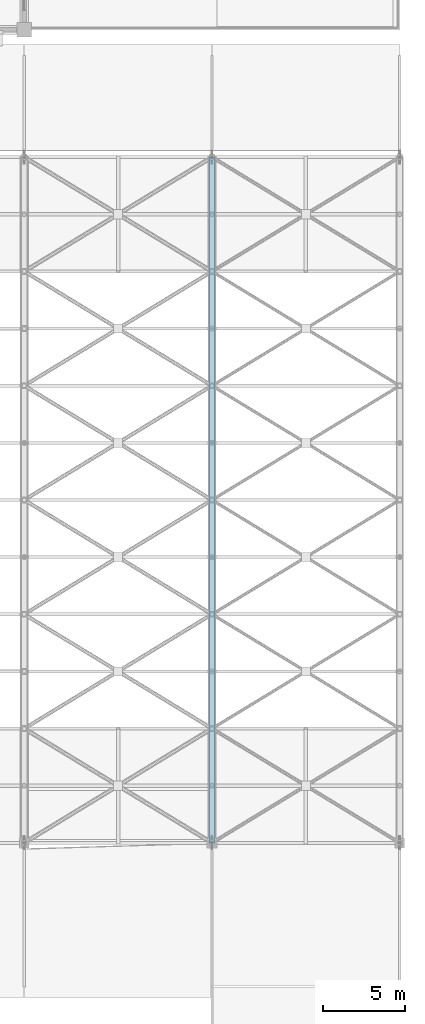
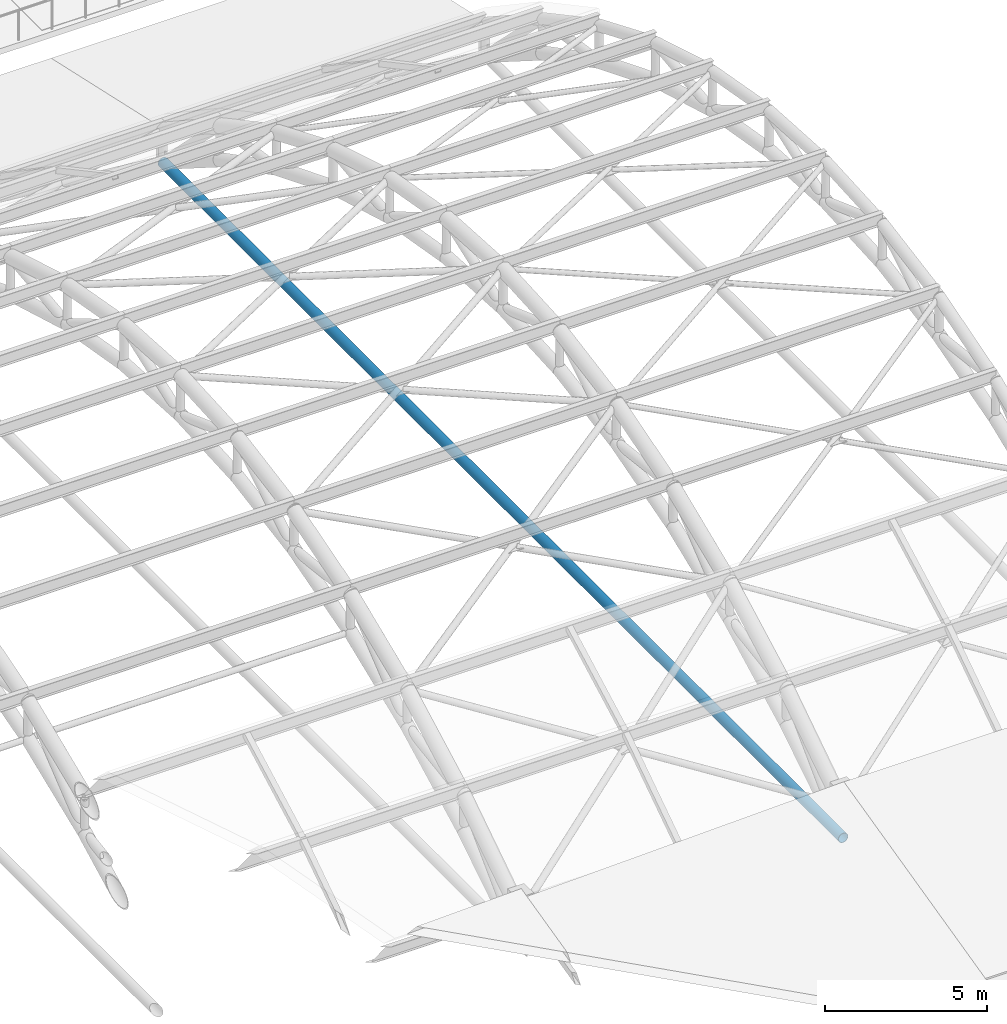
# One storey, part 107 of 154: 1 member.
"""IFC4 building model written with IfcOpenShell, lengths in metres."""

from ifc_helpers import new_model, si_unit, direction, frame, origin, origin_2d, place, context, subcontext, project, spatial, hollow_circle, extrude, material, material_profile, profile_set, type_object, element, save


model = new_model("IFC4")

# Units and contexts
model_context = context("Model", 3, precision=1e-05, world=origin(), true_north=direction((0.0, 1.0)))
body_context = subcontext(model_context, "Body", "Model", "MODEL_VIEW")
ifc_project = project(units=[si_unit("LENGTHUNIT", "METRE"), si_unit("AREAUNIT", "SQUARE_METRE"), si_unit("VOLUMEUNIT", "CUBIC_METRE"), si_unit("PLANEANGLEUNIT", "RADIAN"), si_unit("MASSUNIT", "GRAM", prefix="KILO")], contexts=[model_context])

# Site, building, storey
site_placement = place(None, origin())
site = spatial("IfcSite", under=ifc_project, at=site_placement, CompositionType="ELEMENT")
building_placement = place(site_placement, origin())
building = spatial("IfcBuilding", under=site, at=building_placement, Name="Ologun Quay Terminus", CompositionType="ELEMENT")
storey_placement = place(building_placement, frame((0.0, 0.0, 13.800048828125)))
storey = spatial("IfcBuildingStorey", under=building, at=storey_placement, Name="L03", CompositionType="ELEMENT", Elevation=13.800048828125)

# Member
ifc_material = material(Name="Steel S355", Category="steel")
ifc_material_profile = material_profile(ifc_material, hollow_circle(Radius=0.177734375, WallThickness=0.012451171875, at=origin_2d()), Name="CHS 355.6x12.5")
ifc_profile_set = profile_set([ifc_material_profile], Name="Steel S355")
member_type = type_object("IfcMemberType", Name="Arch Horizontal Tie Chord CHS355", PredefinedType="CHORD", material=ifc_profile_set)
member_placement = place(storey_placement, frame((172.5, 36.0, 0.0), z_axis=(0.0, 1.0, 0.0), x_axis=(-1.0, 0.0, 0.0)))
element("IfcMember", 1, at=member_placement, inside=storey, type_object=member_type, Name="AT1 Arch Tie Chord Grid 16", PredefinedType="CHORD", context=body_context, shape_type="SweptSolid", body=[
    extrude(hollow_circle(Radius=0.177734375, WallThickness=0.012451171875, at=origin_2d()), origin(), (0.0, 0.0, 1.0), 42.0),
])

save(model, "model.ifc")
